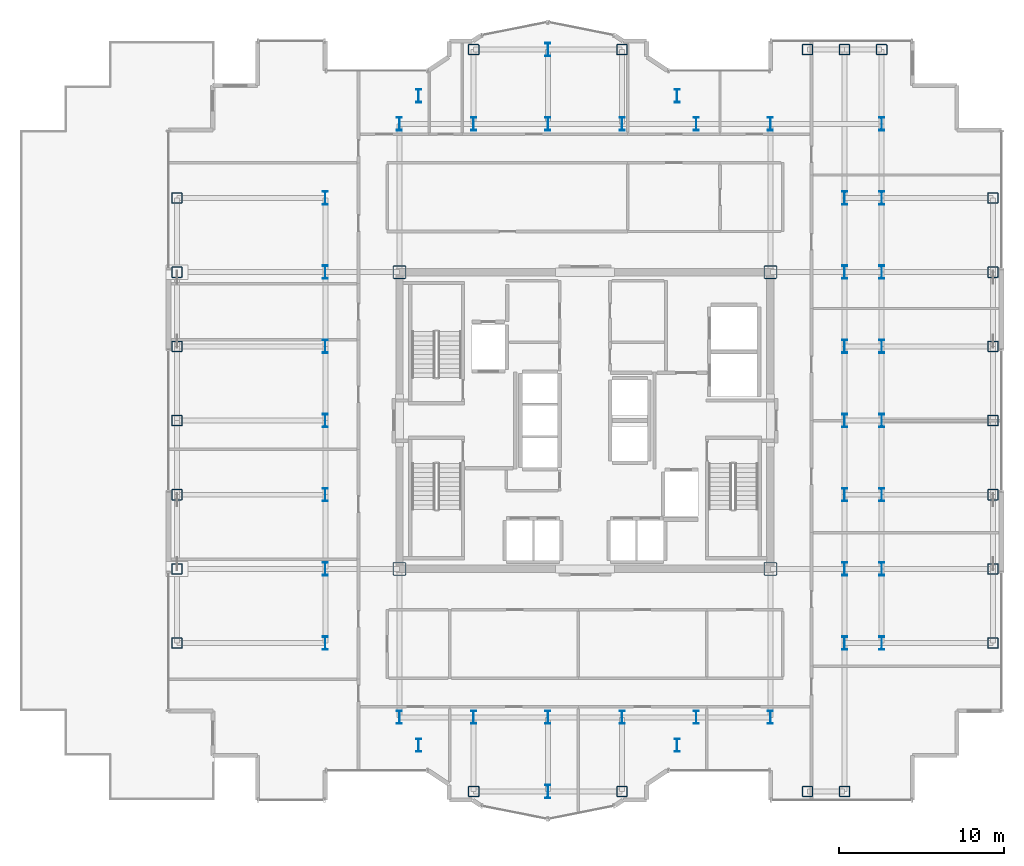
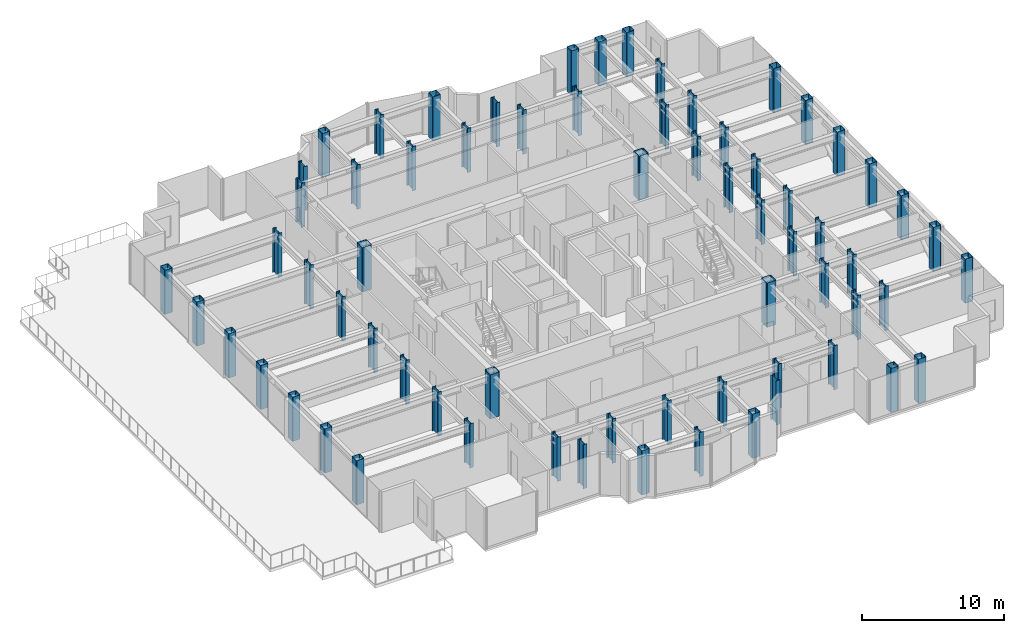
# One storey, part 1 of 21: 67 columns.
"""IFC4 building model written with IfcOpenShell, lengths in metres."""

import ifcopenshell
import ifcopenshell.guid

model = None  # the IFC model being written
_history = None  # IfcOwnerHistory: only IFC2X3 demands one
_inside = {}  # id of a spatial element -> (the spatial element, [elements in it])
_under = {}  # id of a project, library or spatial element -> (it, [spatial elements below it])
_declared = {}  # id of a project -> (the project, [libraries it declares])
_typed = {}  # id of a type object -> (the type object, [elements of that type])
_made_of = {}  # id of a material, layer set ... -> (it, [elements and type objects made of it])


def new_model(schema):
    """Start an empty IFC model of exactly this schema.

    Asked for "IFC4X3", IfcOpenShell would pick the latest addendum, in which some entities
    have other attributes; the version numbers below select the first issue.
    IFC2X3 requires an IfcOwnerHistory on every rooted entity: one is made here for all.
    """
    global model, _history
    if schema == "IFC4X3":
        model = ifcopenshell.file(schema_version=(4, 3, 0, 0))
    else:
        model = ifcopenshell.file(schema=schema)
    _inside.clear()
    _under.clear()
    _declared.clear()
    _typed.clear()
    _made_of.clear()
    _history = None
    if model.schema == "IFC2X3":
        org = make("IfcOrganization", Name="unknown")
        user = make(
            "IfcPersonAndOrganization",
            ThePerson=make("IfcPerson", FamilyName="unknown"),
            TheOrganization=org,
        )
        app = make(
            "IfcApplication",
            ApplicationDeveloper=org,
            Version="unknown",
            ApplicationFullName="unknown",
            ApplicationIdentifier="unknown",
        )
        _history = make(
            "IfcOwnerHistory",
            OwningUser=user,
            OwningApplication=app,
            ChangeAction="ADDED",
            CreationDate=0,
        )
    return model


def make(cls, **values):
    """One entity of the class cls with the attributes given. An attribute that is None is left unset."""
    return model.create_entity(
        cls, **{name: value for name, value in values.items() if value is not None}
    )


def rooted(cls, **values):
    """An entity with a GlobalId (a new one), such as an element, a storey or a relation."""
    return make(cls, GlobalId=ifcopenshell.guid.new(), OwnerHistory=_history, **values)


def si_unit(unit_type, name, prefix=None):
    """IfcSIUnit, for example si_unit("LENGTHUNIT", "METRE", prefix="MILLI")."""
    return make("IfcSIUnit", UnitType=unit_type, Prefix=prefix, Name=name)


def assignment(units):
    """IfcUnitAssignment: the units of a project."""
    return None if units is None else make("IfcUnitAssignment", Units=units)


def point(xyz):
    """IfcCartesianPoint."""
    return None if xyz is None else make("IfcCartesianPoint", Coordinates=xyz)


def direction(xyz):
    """IfcDirection."""
    return None if xyz is None else make("IfcDirection", DirectionRatios=xyz)


def frame(location, z_axis=None, x_axis=None):
    """IfcAxis2Placement3D, a coordinate frame: its origin and axes. An axis left out is left unset."""
    return make(
        "IfcAxis2Placement3D",
        Location=point(location),
        Axis=direction(z_axis),
        RefDirection=direction(x_axis),
    )


def frame_2d(location, x_axis=None):
    """IfcAxis2Placement2D, a coordinate frame in the plane: its origin and x axis."""
    return make(
        "IfcAxis2Placement2D", Location=point(location), RefDirection=direction(x_axis)
    )


def origin():
    """The frame at (0, 0, 0) with its axes left unset."""
    return frame((0.0, 0.0, 0.0))


def origin_2d():
    """The frame at (0, 0) in the plane with its x axis left unset."""
    return frame_2d((0.0, 0.0))


def place(relative_to, where):
    """IfcLocalPlacement: puts the frame where relative to a parent placement (None: the world)."""
    return make(
        "IfcLocalPlacement", PlacementRelTo=relative_to, RelativePlacement=where
    )


def context(
    kind, dimensions, precision=None, world=None, true_north=None, identifier=None
):
    """IfcGeometricRepresentationContext, for example the 3D "Model" context."""
    return make(
        "IfcGeometricRepresentationContext",
        ContextIdentifier=identifier,
        ContextType=kind,
        CoordinateSpaceDimension=dimensions,
        Precision=precision,
        WorldCoordinateSystem=world,
        TrueNorth=true_north,
    )


def subcontext(parent, identifier, kind, view, scale=None):
    """IfcGeometricRepresentationSubContext, for example "Body" below "Model"."""
    return make(
        "IfcGeometricRepresentationSubContext",
        ContextIdentifier=identifier,
        ContextType=kind,
        ParentContext=parent,
        TargetScale=scale,
        TargetView=view,
    )


def project(units=None, contexts=None):
    """IfcProject with its units and contexts."""
    return rooted(
        "IfcProject",
        Name="project",
        RepresentationContexts=contexts,
        UnitsInContext=assignment(units),
    )


def spatial(cls, under=None, at=None, **own):
    """A site, building, storey or space (cls), placed at a placement, below another one or the project."""
    s = rooted(cls, ObjectPlacement=at, **own)
    if under is not None:
        _under.setdefault(under.id(), (under, []))[1].append(s)
    return s


def profile(cls, at=None, kind="AREA", **sizes):
    """A parametric profile (cls). Its sizes go by their IFC names, for example OverallWidth=200.0."""
    return make(cls, ProfileType=kind, Position=at, **sizes)


def hollow_rectangle(**sizes):
    """IfcRectangleHollowProfileDef."""
    return profile("IfcRectangleHollowProfileDef", **sizes)


def i_section(**sizes):
    """IfcIShapeProfileDef."""
    return profile("IfcIShapeProfileDef", **sizes)


def extrude(swept, where, along, depth):
    """IfcExtrudedAreaSolid: the profile swept, set in the frame where, extruded along a direction by depth."""
    return make(
        "IfcExtrudedAreaSolid",
        SweptArea=swept,
        Position=where,
        ExtrudedDirection=direction(along),
        Depth=depth,
    )


def shape(context_of_items, identifier, shape_type, items):
    """IfcShapeRepresentation: the items that make up one representation, for example the "Body"."""
    return make(
        "IfcShapeRepresentation",
        ContextOfItems=context_of_items,
        RepresentationIdentifier=identifier,
        RepresentationType=shape_type,
        Items=items,
    )


def source(mapping_origin, context_of_items, identifier, shape_type, items):
    """IfcRepresentationMap: a shape defined once, which mapped items show again and again."""
    return make(
        "IfcRepresentationMap",
        MappingOrigin=mapping_origin,
        MappedRepresentation=shape(context_of_items, identifier, shape_type, items),
    )


def transform(
    local_origin,
    x_axis=None,
    y_axis=None,
    z_axis=None,
    scale=None,
    scale2=None,
    scale3=None,
    uniform=True,
):
    """IfcCartesianTransformationOperator3D, or its non-uniform kind. x_axis, y_axis, z_axis: its Axis1, 2, 3."""
    if uniform:
        return make(
            "IfcCartesianTransformationOperator3D",
            Axis1=direction(x_axis),
            Axis2=direction(y_axis),
            LocalOrigin=point(local_origin),
            Scale=scale,
            Axis3=direction(z_axis),
        )
    return make(
        "IfcCartesianTransformationOperator3DnonUniform",
        Axis1=direction(x_axis),
        Axis2=direction(y_axis),
        LocalOrigin=point(local_origin),
        Scale=scale,
        Axis3=direction(z_axis),
        Scale2=scale2,
        Scale3=scale3,
    )


def mapped(mapping_source, mapping_target):
    """IfcMappedItem: shows the shape of a source again, moved by a transform."""
    return make(
        "IfcMappedItem", MappingSource=mapping_source, MappingTarget=mapping_target
    )


def material(Name=None, Category=None):
    """IfcMaterial."""
    return make("IfcMaterial", Name=Name, Category=Category)


def material_profile(
    of_material, cross_section, Name=None, Category=None, Priority=None
):
    """IfcMaterialProfile: a cross section and its material."""
    return make(
        "IfcMaterialProfile",
        Name=Name,
        Material=of_material,
        Profile=cross_section,
        Priority=Priority,
        Category=Category,
    )


def profile_set(profiles, Name=None, composite=None):
    """IfcMaterialProfileSet."""
    return make(
        "IfcMaterialProfileSet",
        Name=Name,
        MaterialProfiles=profiles,
        CompositeProfile=composite,
    )


def made_of(thing, what):
    """Note that an element or type object is made of a material, layer set ...; save() writes the relation."""
    if what is not None:
        _made_of.setdefault(what.id(), (what, []))[1].append(thing)
    return thing


def type_object(cls, material=None, **own):
    """A type object (cls), such as IfcWallType, which elements share."""
    return made_of(rooted(cls, **own), material)


def element(
    cls,
    number,
    at=None,
    inside=None,
    cuts=None,
    type_object=None,
    material=None,
    context=None,
    identifier="Body",
    shape_type=None,
    held_by="IfcProductDefinitionShape",
    body=None,
    shapes=None,
    **own,
):
    """One element of the class cls, such as IfcWall. Its Tag is "e" and its number.

    at: its placement. inside: the storey or other place that contains it. cuts: it is an
    opening in that element (IfcRelVoidsElement). A single representation is given by context,
    identifier, shape_type and body (its items); several are given by shapes. held_by: the class
    of the entity that holds the representations. save() writes the other relations.
    """
    e = rooted(cls, Tag="e%d" % number, ObjectPlacement=at, **own)
    if body is not None:
        shapes = [shape(context, identifier, shape_type, body)]
    if shapes is not None:
        e.Representation = make(held_by, Representations=shapes)
    if inside is not None:
        _inside.setdefault(inside.id(), (inside, []))[1].append(e)
    if cuts is not None:
        rooted(
            "IfcRelVoidsElement", RelatingBuildingElement=cuts, RelatedOpeningElement=e
        )
    if type_object is not None:
        _typed.setdefault(type_object.id(), (type_object, []))[1].append(e)
    return made_of(e, material)


def aggregate(whole, parts):
    """IfcRelAggregates: a whole, such as a stair, and the parts it consists of."""
    return rooted("IfcRelAggregates", RelatingObject=whole, RelatedObjects=parts)


def save(model, path):
    """Write the relations noted so far, then the file.

    IfcRelAggregates (storeys below a building ...), IfcRelContainedInSpatialStructure (elements
    in a storey), IfcRelDefinesByType, IfcRelAssociatesMaterial and IfcRelDeclares: one each for
    every whole, place, type object, material and project.
    """
    for whole, parts in _under.values():
        aggregate(whole, parts)
    for where, things in _inside.values():
        rooted(
            "IfcRelContainedInSpatialStructure",
            RelatedElements=things,
            RelatingStructure=where,
        )
    for kind, things in _typed.values():
        rooted("IfcRelDefinesByType", RelatedObjects=things, RelatingType=kind)
    for what, things in _made_of.values():
        rooted("IfcRelAssociatesMaterial", RelatedObjects=things, RelatingMaterial=what)
    for by, libraries in _declared.values():
        rooted("IfcRelDeclares", RelatingContext=by, RelatedDefinitions=libraries)
    model.write(path)


model = new_model("IFC4")

# Units and contexts
model_context = context("Model", 3, precision=1e-05, world=origin(), true_north=direction((0.0, 1.0)))
body_context = subcontext(model_context, "Body", "Model", "MODEL_VIEW")
ifc_project = project(units=[si_unit("LENGTHUNIT", "METRE"), si_unit("AREAUNIT", "SQUARE_METRE"), si_unit("VOLUMEUNIT", "CUBIC_METRE"), si_unit("PLANEANGLEUNIT", "RADIAN"), si_unit("MASSUNIT", "GRAM", prefix="KILO")], contexts=[model_context])

# Site, building, storey
site_placement = place(None, origin())
site = spatial("IfcSite", under=ifc_project, at=site_placement, CompositionType="ELEMENT")
building_placement = place(site_placement, origin())
building = spatial("IfcBuilding", under=site, at=building_placement, Name="Nefas-Gora Pilgrimage Tower", CompositionType="ELEMENT")
storey_placement = place(building_placement, frame((0.0, 0.0, 206.60009765625)))
storey = spatial("IfcBuildingStorey", under=building, at=storey_placement, Name="L51", CompositionType="ELEMENT", Elevation=206.60009765625)

# Columns
ifc_material = material(Name="Steel S460", Category="steel")
ifc_material_profile_1 = material_profile(ifc_material, i_section(OverallWidth=0.302978515625, OverallDepth=0.81396484375, WebThickness=0.02099609375, FlangeThickness=0.0400390625, FilletRadius=0.030029296875, at=origin_2d()), Name="HEM 800")
ifc_profile_set_1 = profile_set([ifc_material_profile_1], Name="Steel S460")
column_type_1 = type_object("IfcColumnType", Name="COL-WEB-HEM800", PredefinedType="COLUMN", material=ifc_profile_set_1)
shared_shape_1 = source(origin(), body_context, "Body", "SweptSolid", [
    extrude(i_section(OverallWidth=0.302978515625, OverallDepth=0.81396484375, WebThickness=0.02099609375, FlangeThickness=0.0400390625, FilletRadius=0.030029296875, at=origin_2d()), origin(), (0.0, 0.0, 1.0), 3.7998046875),
])
for number, where, z_axis, x_axis, name in (
    (1, (-15.75, -13.5, 0.0), (0.0, 0.0, 1.0), (1.0, 0.0, 0.0), "L51 Tower Column CW-02.8"),
    (2, (-15.75, -9.0, 0.0), (0.0, 0.0, 1.0), (1.0, 0.0, 0.0), "L51 Tower Column CW-02.9"),
    (3, (-15.75, -4.5, 0.0), (0.0, 0.0, 1.0), (1.0, 0.0, 0.0), "L51 Tower Column CW-02.10"),
    (4, (-15.75, 0.0, 0.0), (0.0, 0.0, 1.0), (1.0, 0.0, 0.0), "L51 Tower Column CW-02.11"),
    (5, (-15.75, 4.5, 0.0), (0.0, 0.0, 1.0), (1.0, 0.0, 0.0), "L51 Tower Column CW-02.12"),
    (6, (-15.75, 9.0, 0.0), (0.0, 0.0, 1.0), (1.0, 0.0, 0.0), "L51 Tower Column CW-02.13"),
    (7, (-15.75, 13.5, 0.0), (0.0, 0.0, 1.0), (1.0, 0.0, 0.0), "L51 Tower Column CW-02.14"),
    (8, (-11.25, -18.0, 0.0), (0.0, 0.0, 1.0), (1.0, 0.0, 0.0), "L51 Tower Column CW-02.15"),
    (9, (-11.25, 18.0, 0.0), (0.0, 0.0, 1.0), (1.0, 0.0, 0.0), "L51 Tower Column CW-02.18"),
    (10, (-10.091064453125, -19.696044921875, 0.0), (0.0, 0.0, 1.0), (1.0, 0.0, 0.0), "L51 Tower Column CW-02.19"),
    (11, (-10.091064453125, 19.696044921875, 0.0), (0.0, 0.0, 1.0), (1.0, 0.0, 0.0), "L51 Tower Column CW-02.20"),
    (12, (-6.75, -18.0, 0.0), (0.0, 0.0, 1.0), (1.0, 0.0, 0.0), "L51 Tower Column CW-02.22"),
    (13, (-6.75, 18.0, 0.0), (0.0, 0.0, 1.0), (1.0, 0.0, 0.0), "L51 Tower Column CW-02.23"),
    (14, (-2.25, -22.5, 0.0), (0.0, 0.0, 1.0), (1.0, 0.0, 0.0), "L51 Tower Column CW-02.25"),
    (15, (-2.25, -18.0, 0.0), (0.0, 0.0, 1.0), (1.0, 0.0, 0.0), "L51 Tower Column CW-02.26"),
    (16, (-2.25, 18.0, 0.0), (0.0, 0.0, 1.0), (1.0, 0.0, 0.0), "L51 Tower Column CW-02.27"),
    (17, (-2.25, 22.5, 0.0), (0.0, 0.0, 1.0), (1.0, 0.0, 0.0), "L51 Tower Column CW-02.28"),
    (18, (2.25, -18.0, 0.0), (0.0, 0.0, 1.0), (1.0, 0.0, 0.0), "L51 Tower Column CW-02.30"),
    (19, (2.25, 18.0, 0.0), (0.0, 0.0, 1.0), (1.0, 0.0, 0.0), "L51 Tower Column CW-02.31"),
    (20, (5.591064453125, -19.696044921875, 0.0), (0.0, 0.0, 1.0), (1.0, 0.0, 0.0), "L51 Tower Column CW-02.33"),
    (21, (5.591064453125, 19.696044921875, 0.0), (0.0, 0.0, 1.0), (1.0, 0.0, 0.0), "L51 Tower Column CW-02.34"),
    (22, (6.75, -18.0, 0.0), (0.0, 0.0, 1.0), (1.0, 0.0, 0.0), "L51 Tower Column CW-02.35"),
    (23, (6.75, 18.0, 0.0), (0.0, 0.0, 1.0), (1.0, 0.0, 0.0), "L51 Tower Column CW-02.36"),
    (24, (11.25, -18.0, 0.0), (0.0, 0.0, 1.0), (1.0, 0.0, 0.0), "L51 Tower Column CW-02.37"),
    (25, (11.25, 18.0, 0.0), (0.0, 0.0, 1.0), (1.0, 0.0, 0.0), "L51 Tower Column CW-02.40"),
    (26, (15.75, -13.5, 0.0), (0.0, 0.0, 1.0), (1.0, 0.0, 0.0), "L51 Tower Column CW-02.44"),
    (27, (15.75, -9.0, 0.0), (0.0, 0.0, 1.0), (1.0, 0.0, 0.0), "L51 Tower Column CW-02.45"),
    (28, (15.75, -4.5, 0.0), (0.0, 0.0, 1.0), (1.0, 0.0, 0.0), "L51 Tower Column CW-02.46"),
    (29, (15.75, 0.0, 0.0), (0.0, 0.0, 1.0), (1.0, 0.0, 0.0), "L51 Tower Column CW-02.47"),
    (30, (15.75, 4.5, 0.0), (0.0, 0.0, 1.0), (1.0, 0.0, 0.0), "L51 Tower Column CW-02.48"),
    (31, (15.75, 9.0, 0.0), (0.0, 0.0, 1.0), (1.0, 0.0, 0.0), "L51 Tower Column CW-02.49"),
    (32, (15.75, 13.5, 0.0), (0.0, 0.0, 1.0), (1.0, 0.0, 0.0), "L51 Tower Column CW-02.50"),
    (33, (18.0, -13.5, 0.0), (0.0, 0.0, 1.0), (1.0, 0.0, 0.0), "L51 Tower Column CW-02.52"),
    (34, (18.0, -9.0, 0.0), (0.0, 0.0, 1.0), (1.0, 0.0, 0.0), "L51 Tower Column CW-02.53"),
    (35, (18.0, -4.5, 0.0), (0.0, 0.0, 1.0), (1.0, 0.0, 0.0), "L51 Tower Column CW-02.54"),
    (36, (18.0, 0.0, 0.0), (0.0, 0.0, 1.0), (1.0, 0.0, 0.0), "L51 Tower Column CW-02.55"),
    (37, (18.0, 4.5, 0.0), (0.0, 0.0, 1.0), (1.0, 0.0, 0.0), "L51 Tower Column CW-02.56"),
    (38, (18.0, 9.0, 0.0), (0.0, 0.0, 1.0), (1.0, 0.0, 0.0), "L51 Tower Column CW-02.57"),
    (39, (18.0, 13.5, 0.0), (0.0, 0.0, 1.0), (1.0, 0.0, 0.0), "L51 Tower Column CW-02.58"),
    (40, (18.0, 18.0, 0.0), (0.0, 0.0, 1.0), (1.0, 0.0, 0.0), "L51 Tower Column CW-02.59"),
):
    element("IfcColumn", number, at=place(storey_placement, frame(where, z_axis=z_axis, x_axis=x_axis)), inside=storey, type_object=column_type_1, Name=name, PredefinedType="COLUMN", context=body_context, shape_type="MappedRepresentation", body=[
        mapped(shared_shape_1, transform((0.0, 0.0, 0.0), x_axis=(1.0, 0.0, 0.0), y_axis=(0.0, 1.0, 0.0), z_axis=(0.0, 0.0, 1.0), scale=1.0)),
    ])
ifc_material_profile_2 = material_profile(ifc_material, hollow_rectangle(XDim=0.800048828125, YDim=0.800048828125, WallThickness=0.0400390625, InnerFilletRadius=0.0400390625, OuterFilletRadius=0.080078125, at=origin_2d()), Name="BOX 800x800x40")
ifc_profile_set_2 = profile_set([ifc_material_profile_2], Name="Steel S460")
column_type_2 = type_object("IfcColumnType", Name="COL-CORE-800", PredefinedType="COLUMN", material=ifc_profile_set_2)
shared_shape_2 = source(origin(), body_context, "Body", "SweptSolid", [
    extrude(hollow_rectangle(XDim=0.800048828125, YDim=0.800048828125, WallThickness=0.0400390625, InnerFilletRadius=0.0400390625, OuterFilletRadius=0.080078125, at=origin_2d()), origin(), (0.0, 0.0, 1.0), 3.7998046875),
])
for number, where, z_axis, x_axis, name in (
    (41, (-11.25, -9.0, 0.0), (0.0, 0.0, 1.0), (1.0, 0.0, 0.0), "L51 Tower Column CC-Z2.16"),
    (42, (-11.25, 9.0, 0.0), (0.0, 0.0, 1.0), (1.0, 0.0, 0.0), "L51 Tower Column CC-Z2.17"),
    (43, (11.25, -9.0, 0.0), (0.0, 0.0, 1.0), (1.0, 0.0, 0.0), "L51 Tower Column CC-Z2.38"),
    (44, (11.25, 9.0, 0.0), (0.0, 0.0, 1.0), (1.0, 0.0, 0.0), "L51 Tower Column CC-Z2.39"),
):
    element("IfcColumn", number, at=place(storey_placement, frame(where, z_axis=z_axis, x_axis=x_axis)), inside=storey, type_object=column_type_2, Name=name, PredefinedType="COLUMN", context=body_context, shape_type="MappedRepresentation", body=[
        mapped(shared_shape_2, transform((0.0, 0.0, 0.0), x_axis=(1.0, 0.0, 0.0), y_axis=(0.0, 1.0, 0.0), z_axis=(0.0, 0.0, 1.0), scale=1.0)),
    ])
ifc_material_profile_3 = material_profile(ifc_material, hollow_rectangle(XDim=0.64990234375, YDim=0.64990234375, WallThickness=0.031982421875, InnerFilletRadius=0.031982421875, OuterFilletRadius=0.06396484375, at=origin_2d()), Name="BOX 650x650x32")
ifc_profile_set_3 = profile_set([ifc_material_profile_3], Name="Steel S460")
column_type_3 = type_object("IfcColumnType", Name="COL-TUBE-650", PredefinedType="COLUMN", material=ifc_profile_set_3)
shared_shape_3 = source(origin(), body_context, "Body", "SweptSolid", [
    extrude(hollow_rectangle(XDim=0.64990234375, YDim=0.64990234375, WallThickness=0.031982421875, InnerFilletRadius=0.031982421875, OuterFilletRadius=0.06396484375, at=origin_2d()), origin(), (0.0, 0.0, 1.0), 3.7998046875),
])
for number, where, z_axis, x_axis, name in (
    (45, (-24.75, -13.5, 0.0), (0.0, 0.0, 1.0), (1.0, 0.0, 0.0), "L51 Tower Column C-Z3.1"),
    (46, (-24.75, -9.0, 0.0), (0.0, 0.0, 1.0), (1.0, 0.0, 0.0), "L51 Tower Column C-Z3.2"),
    (47, (-24.75, -4.5, 0.0), (0.0, 0.0, 1.0), (1.0, 0.0, 0.0), "L51 Tower Column C-Z3.3"),
    (48, (-24.75, 0.0, 0.0), (0.0, 0.0, 1.0), (1.0, 0.0, 0.0), "L51 Tower Column C-Z3.4"),
    (49, (-24.75, 4.5, 0.0), (0.0, 0.0, 1.0), (1.0, 0.0, 0.0), "L51 Tower Column C-Z3.5"),
    (50, (-24.75, 9.0, 0.0), (0.0, 0.0, 1.0), (1.0, 0.0, 0.0), "L51 Tower Column C-Z3.6"),
    (51, (-24.75, 13.5, 0.0), (0.0, 0.0, 1.0), (1.0, 0.0, 0.0), "L51 Tower Column C-Z3.7"),
    (52, (-6.75, -22.5, 0.0), (0.0, 0.0, 1.0), (1.0, 0.0, 0.0), "L51 Tower Column C-Z3.21"),
    (53, (-6.75, 22.5, 0.0), (0.0, 0.0, 1.0), (1.0, 0.0, 0.0), "L51 Tower Column C-Z3.24"),
    (54, (2.25, -22.5, 0.0), (0.0, 0.0, 1.0), (1.0, 0.0, 0.0), "L51 Tower Column C-Z3.29"),
    (55, (2.25, 22.5, 0.0), (0.0, 0.0, 1.0), (1.0, 0.0, 0.0), "L51 Tower Column C-Z3.32"),
    (56, (13.5, -22.5, 0.0), (0.0, 0.0, 1.0), (1.0, 0.0, 0.0), "L51 Tower Column C-Z3.41"),
    (57, (13.5, 22.5, 0.0), (0.0, 0.0, 1.0), (1.0, 0.0, 0.0), "L51 Tower Column C-Z3.42"),
    (58, (15.75, -22.5, 0.0), (0.0, 0.0, 1.0), (1.0, 0.0, 0.0), "L51 Tower Column C-Z3.43"),
    (59, (15.75, 22.5, 0.0), (0.0, 0.0, 1.0), (1.0, 0.0, 0.0), "L51 Tower Column C-Z3.51"),
    (60, (18.0, 22.5, 0.0), (0.0, 0.0, 1.0), (1.0, 0.0, 0.0), "L51 Tower Column C-Z3.60"),
    (61, (24.75, -13.5, 0.0), (0.0, 0.0, 1.0), (1.0, 0.0, 0.0), "L51 Tower Column C-Z3.61"),
    (62, (24.75, -9.0, 0.0), (0.0, 0.0, 1.0), (1.0, 0.0, 0.0), "L51 Tower Column C-Z3.62"),
    (63, (24.75, -4.5, 0.0), (0.0, 0.0, 1.0), (1.0, 0.0, 0.0), "L51 Tower Column C-Z3.63"),
    (64, (24.75, 0.0, 0.0), (0.0, 0.0, 1.0), (1.0, 0.0, 0.0), "L51 Tower Column C-Z3.64"),
    (65, (24.75, 4.5, 0.0), (0.0, 0.0, 1.0), (1.0, 0.0, 0.0), "L51 Tower Column C-Z3.65"),
    (66, (24.75, 9.0, 0.0), (0.0, 0.0, 1.0), (1.0, 0.0, 0.0), "L51 Tower Column C-Z3.66"),
    (67, (24.75, 13.5, 0.0), (0.0, 0.0, 1.0), (1.0, 0.0, 0.0), "L51 Tower Column C-Z3.67"),
):
    element("IfcColumn", number, at=place(storey_placement, frame(where, z_axis=z_axis, x_axis=x_axis)), inside=storey, type_object=column_type_3, Name=name, PredefinedType="COLUMN", context=body_context, shape_type="MappedRepresentation", body=[
        mapped(shared_shape_3, transform((0.0, 0.0, 0.0), x_axis=(1.0, 0.0, 0.0), y_axis=(0.0, 1.0, 0.0), z_axis=(0.0, 0.0, 1.0), scale=1.0)),
    ])

save(model, "model.ifc")
